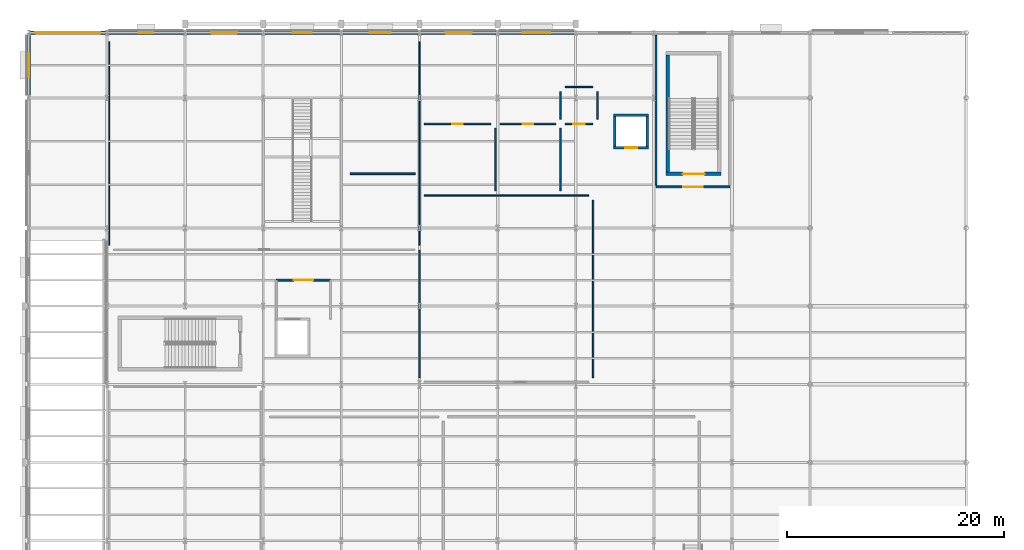
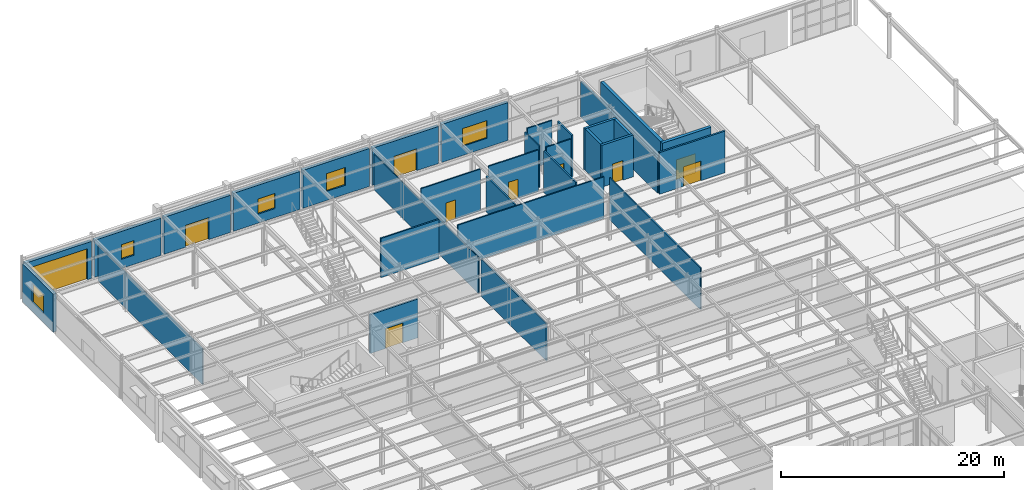
# One storey, part 61 of 83: 31 walls, 10 doors, 5 windows, 15 openings.
"""IFC4 building model written with IfcOpenShell, lengths in metres."""

from ifc_helpers import new_model, si_unit, direction, frame, frame_2d, origin, place, context, subcontext, project, spatial, rectangle, extrude, material, layer, layer_set, type_object, element, fill, save


model = new_model("IFC4")

# Units and contexts
model_context = context("Model", 3, precision=1e-05, world=origin(), true_north=direction((0.0, 1.0)))
body_context = subcontext(model_context, "Body", "Model", "MODEL_VIEW")
ifc_project = project(units=[si_unit("LENGTHUNIT", "METRE"), si_unit("AREAUNIT", "SQUARE_METRE"), si_unit("VOLUMEUNIT", "CUBIC_METRE"), si_unit("PLANEANGLEUNIT", "RADIAN"), si_unit("MASSUNIT", "GRAM", prefix="KILO")], contexts=[model_context])

# Site, building, storey
site_placement = place(None, origin())
site = spatial("IfcSite", under=ifc_project, at=site_placement, CompositionType="ELEMENT")
building_placement = place(site_placement, origin())
building = spatial("IfcBuilding", under=site, at=building_placement, Name="Solvadek Multi-Sports Hall", CompositionType="ELEMENT")
storey_placement = place(building_placement, origin())
storey = spatial("IfcBuildingStorey", under=building, at=storey_placement, Name="L00", CompositionType="ELEMENT", Elevation=0.0)

# Wall, opening, window
ifc_material_1 = material(Name="Fired Deccan terracotta brick masonry", Category="masonry")
ifc_layer_1 = layer(ifc_material_1, 0.35009765625, Name="Fired Deccan terracotta brick masonry")
ifc_layer_set_1 = layer_set([ifc_layer_1], Name="Fired Deccan terracotta brick masonry")
wall_type_1 = type_object("IfcWallType", Name="ENV-WAL-EXT350", PredefinedType="SOLIDWALL", material=ifc_layer_set_1)
wall_1_placement = place(storey_placement, frame((0.0, 104.62890625, 0.0), z_axis=(0.0, 0.0, 1.0), x_axis=(0.0, 1.0, 0.0)))
wall_1 = element("IfcWall", 1, at=wall_1_placement, inside=storey, type_object=wall_type_1, Name="L00 Exterior Masonry Wall #162", PredefinedType="SOLIDWALL", context=body_context, shape_type="SweptSolid", body=[
    extrude(rectangle(XDim=5.5419921875, YDim=0.35009765625, at=frame_2d((2.77099609375, 0.0))), origin(), (0.0, 0.0, 1.0), 4.1650390625),
])
opening_1_placement = place(wall_1_placement, frame((1.720947265625, 0.0, 1.0)))
opening_1 = element("IfcOpeningElement", 2, at=opening_1_placement, cuts=wall_1, Name="Opening WN-12", PredefinedType="OPENING", context=body_context, shape_type="SweptSolid", body=[
    extrude(rectangle(XDim=2.10009765625, YDim=2.10009765625, at=frame_2d((1.050048828125, 1.050048828125))), frame((0.0, 0.18505859375, 0.0), z_axis=(0.0, -1.0, 0.0), x_axis=(1.0, 0.0, 0.0)), (0.0, 0.0, 1.0), 0.3701171875),
])
ifc_material_2 = material(Name="Tempered laminated low-E glass", Category="glass")
window_type_1 = type_object("IfcWindowType", Name="ENV-WIN-WN-12", PartitioningType="SINGLE_PANEL", PredefinedType="WINDOW", material=ifc_material_2)
window_1_placement = place(opening_1_placement, origin())
window_1 = element("IfcWindow", 3, at=window_1_placement, inside=storey, type_object=window_type_1, Name="L00 Facade Window WN-12 #50", OverallHeight=2.10009765625, OverallWidth=2.10009765625, PartitioningType="SINGLE_PANEL", PredefinedType="WINDOW", context=body_context, shape_type="SweptSolid", body=[
    extrude(rectangle(XDim=2.10009765625, YDim=2.10009765625, at=frame_2d((1.050048828125, 1.050048828125))), frame((0.0, 0.030029296875, 0.0), z_axis=(0.0, -1.0, 0.0), x_axis=(1.0, 0.0, 0.0)), (0.0, 0.0, 1.0), 0.06005859375),
])
fill(opening_1, window_1)

# Wall, opening, door
wall_2_placement = place(storey_placement, frame((0.154052734375, 110.39990234375, 0.0), z_axis=(0.0, 0.0, 1.0), x_axis=(1.0, 0.0, 0.0)))
wall_2 = element("IfcWall", 4, at=wall_2_placement, inside=storey, type_object=wall_type_1, Name="L00 Exterior Masonry Wall #165", PredefinedType="SOLIDWALL", context=body_context, shape_type="SweptSolid", body=[
    extrude(rectangle(XDim=6.891845703125, YDim=0.35009765625, at=frame_2d((3.44580078125, 0.0))), origin(), (0.0, 0.0, 1.0), 4.06494140625),
])
opening_2_placement = place(wall_2_placement, frame((0.446044921875, 0.0, 0.0)))
opening_2 = element("IfcOpeningElement", 5, at=opening_2_placement, cuts=wall_2, Name="Opening VG-01", PredefinedType="OPENING", context=body_context, shape_type="SweptSolid", body=[
    extrude(rectangle(XDim=6.0, YDim=3.39990234375, at=frame_2d((3.0, 1.699951171875))), frame((0.0, 0.18505859375, 0.0), z_axis=(0.0, -1.0, 0.0), x_axis=(1.0, 0.0, 0.0)), (0.0, 0.0, 1.0), 0.3701171875),
])
ifc_material_3 = material(Name="Steel E250 (250 MPa)", Category="steel")
door_type_1 = type_object("IfcDoorType", Name="ENV-DOR-VG600X340", OperationType="ROLLINGUP", PredefinedType="GATE", material=ifc_material_3)
door_1_placement = place(opening_2_placement, origin())
door_1 = element("IfcDoor", 6, at=door_1_placement, inside=storey, type_object=door_type_1, Name="West Car Park Ramp Roller Shutter Gate VG-01", OperationType="ROLLINGUP", OverallHeight=3.39990234375, OverallWidth=6.0, PredefinedType="GATE", context=body_context, shape_type="SweptSolid", body=[
    extrude(rectangle(XDim=6.0, YDim=3.39990234375, at=frame_2d((3.0, 1.699951171875))), frame((0.0, 0.02490234375, 0.0), z_axis=(0.0, -1.0, 0.0), x_axis=(1.0, 0.0, 0.0)), (0.0, 0.0, 1.0), 0.050048828125),
])
fill(opening_2, door_1)

# Wall, opening, window
wall_3_placement = place(storey_placement, frame((7.35400390625, 110.39990234375, 0.0), z_axis=(0.0, 0.0, 1.0), x_axis=(1.0, 0.0, 0.0)))
wall_3 = element("IfcWall", 7, at=wall_3_placement, inside=storey, type_object=wall_type_1, Name="L00 Exterior Masonry Wall #168", PredefinedType="SOLIDWALL", context=body_context, shape_type="SweptSolid", body=[
    extrude(rectangle(XDim=6.89208984375, YDim=0.35009765625, at=frame_2d((3.446044921875, 0.0))), origin(), (0.0, 0.0, 1.0), 4.06494140625),
])
opening_3_placement = place(wall_3_placement, frame((2.7958984375, 0.0, 1.0)))
opening_3 = element("IfcOpeningElement", 8, at=opening_3_placement, cuts=wall_3, Name="Opening WN-26", PredefinedType="OPENING", context=body_context, shape_type="SweptSolid", body=[
    extrude(rectangle(XDim=1.300048828125, YDim=1.60009765625, at=frame_2d((0.64990234375, 0.800048828125))), frame((0.0, 0.18505859375, 0.0), z_axis=(0.0, -1.0, 0.0), x_axis=(1.0, 0.0, 0.0)), (0.0, 0.0, 1.0), 0.3701171875),
])
window_type_2 = type_object("IfcWindowType", Name="ENV-WIN-WN-26", PartitioningType="SINGLE_PANEL", PredefinedType="WINDOW", material=ifc_material_2)
window_2_placement = place(opening_3_placement, origin())
window_2 = element("IfcWindow", 9, at=window_2_placement, inside=storey, type_object=window_type_2, Name="L00 Facade Window WN-26 #55", OverallHeight=1.60009765625, OverallWidth=1.300048828125, PartitioningType="SINGLE_PANEL", PredefinedType="WINDOW", context=body_context, shape_type="SweptSolid", body=[
    extrude(rectangle(XDim=1.300048828125, YDim=1.60009765625, at=frame_2d((0.64990234375, 0.800048828125))), frame((0.0, 0.030029296875, 0.0), z_axis=(0.0, -1.0, 0.0), x_axis=(1.0, 0.0, 0.0)), (0.0, 0.0, 1.0), 0.06005859375),
])
fill(opening_3, window_2)

# Wall, opening, door
wall_4_placement = place(storey_placement, frame((14.553955078125, 110.39990234375, 0.0), z_axis=(0.0, 0.0, 1.0), x_axis=(1.0, 0.0, 0.0)))
wall_4 = element("IfcWall", 10, at=wall_4_placement, inside=storey, type_object=wall_type_1, Name="L00 Exterior Masonry Wall #171", PredefinedType="SOLIDWALL", context=body_context, shape_type="SweptSolid", body=[
    extrude(rectangle(XDim=6.89208984375, YDim=0.35009765625, at=frame_2d((3.446044921875, 0.0))), origin(), (0.0, 0.0, 1.0), 4.06494140625),
])
opening_4_placement = place(wall_4_placement, frame((2.24609375, 0.0, 0.0)))
opening_4 = element("IfcOpeningElement", 11, at=opening_4_placement, cuts=wall_4, Name="Opening D-EX04", PredefinedType="OPENING", context=body_context, shape_type="SweptSolid", body=[
    extrude(rectangle(XDim=2.39990234375, YDim=2.39990234375, at=frame_2d((1.199951171875, 1.199951171875))), frame((0.0, 0.18505859375, 0.0), z_axis=(0.0, -1.0, 0.0), x_axis=(1.0, 0.0, 0.0)), (0.0, 0.0, 1.0), 0.3701171875),
])
ifc_material_4 = material(Name="Anodised aluminium", Category="aluminium")
door_type_2 = type_object("IfcDoorType", Name="ENV-DOR-EX240X240", OperationType="DOUBLE_DOOR_SINGLE_SWING", PredefinedType="DOOR", material=ifc_material_4)
door_2_placement = place(opening_4_placement, origin())
door_2 = element("IfcDoor", 12, at=door_2_placement, inside=storey, type_object=door_type_2, Name="North Avenue Final Exit Door D-EX04", OperationType="DOUBLE_DOOR_SINGLE_SWING", OverallHeight=2.39990234375, OverallWidth=2.39990234375, PredefinedType="DOOR", context=body_context, shape_type="SweptSolid", body=[
    extrude(rectangle(XDim=2.39990234375, YDim=2.39990234375, at=frame_2d((1.199951171875, 1.199951171875))), frame((0.0, 0.02490234375, 0.0), z_axis=(0.0, -1.0, 0.0), x_axis=(1.0, 0.0, 0.0)), (0.0, 0.0, 1.0), 0.050048828125),
])
fill(opening_4, door_2)

# Wall, opening, window
wall_5_placement = place(storey_placement, frame((21.75390625, 110.39990234375, 0.0), z_axis=(0.0, 0.0, 1.0), x_axis=(1.0, 0.0, 0.0)))
wall_5 = element("IfcWall", 13, at=wall_5_placement, inside=storey, type_object=wall_type_1, Name="L00 Exterior Masonry Wall #174", PredefinedType="SOLIDWALL", context=body_context, shape_type="SweptSolid", body=[
    extrude(rectangle(XDim=6.89208984375, YDim=0.35009765625, at=frame_2d((3.446044921875, 0.0))), origin(), (0.0, 0.0, 1.0), 4.1650390625),
])
opening_5_placement = place(wall_5_placement, frame((2.571044921875, 0.0, 1.0)))
opening_5 = element("IfcOpeningElement", 14, at=opening_5_placement, cuts=wall_5, Name="Opening WN-28", PredefinedType="OPENING", context=body_context, shape_type="SweptSolid", body=[
    extrude(rectangle(XDim=1.75, YDim=1.64990234375, at=frame_2d((0.875, 0.824951171875))), frame((0.0, 0.18505859375, 0.0), z_axis=(0.0, -1.0, 0.0), x_axis=(1.0, 0.0, 0.0)), (0.0, 0.0, 1.0), 0.3701171875),
])
window_type_3 = type_object("IfcWindowType", Name="ENV-WIN-WN-28", PartitioningType="SINGLE_PANEL", PredefinedType="WINDOW", material=ifc_material_2)
window_3_placement = place(opening_5_placement, origin())
window_3 = element("IfcWindow", 15, at=window_3_placement, inside=storey, type_object=window_type_3, Name="L00 Facade Window WN-28 #60", OverallHeight=1.64990234375, OverallWidth=1.75, PartitioningType="SINGLE_PANEL", PredefinedType="WINDOW", context=body_context, shape_type="SweptSolid", body=[
    extrude(rectangle(XDim=1.75, YDim=1.64990234375, at=frame_2d((0.875, 0.824951171875))), frame((0.0, 0.030029296875, 0.0), z_axis=(0.0, -1.0, 0.0), x_axis=(1.0, 0.0, 0.0)), (0.0, 0.0, 1.0), 0.06005859375),
])
fill(opening_5, window_3)

wall_6_placement = place(storey_placement, frame((28.9541015625, 110.39990234375, 0.0), z_axis=(0.0, 0.0, 1.0), x_axis=(1.0, 0.0, 0.0)))
wall_6 = element("IfcWall", 16, at=wall_6_placement, inside=storey, type_object=wall_type_1, Name="L00 Exterior Masonry Wall #177", PredefinedType="SOLIDWALL", context=body_context, shape_type="SweptSolid", body=[
    extrude(rectangle(XDim=6.891845703125, YDim=0.35009765625, at=frame_2d((3.44580078125, 0.0))), origin(), (0.0, 0.0, 1.0), 4.1650390625),
])
opening_6_placement = place(wall_6_placement, frame((2.470947265625, 0.0, 1.0)))
opening_6 = element("IfcOpeningElement", 17, at=opening_6_placement, cuts=wall_6, Name="Opening WN-29", PredefinedType="OPENING", context=body_context, shape_type="SweptSolid", body=[
    extrude(rectangle(XDim=1.949951171875, YDim=1.949951171875, at=frame_2d((0.97509765625, 0.97509765625))), frame((0.0, 0.18505859375, 0.0), z_axis=(0.0, -1.0, 0.0), x_axis=(1.0, 0.0, 0.0)), (0.0, 0.0, 1.0), 0.3701171875),
])
window_type_4 = type_object("IfcWindowType", Name="ENV-WIN-WN-29", PartitioningType="SINGLE_PANEL", PredefinedType="WINDOW", material=ifc_material_2)
window_4_placement = place(opening_6_placement, origin())
window_4 = element("IfcWindow", 18, at=window_4_placement, inside=storey, type_object=window_type_4, Name="L00 Facade Window WN-29 #63", OverallHeight=1.949951171875, OverallWidth=1.949951171875, PartitioningType="SINGLE_PANEL", PredefinedType="WINDOW", context=body_context, shape_type="SweptSolid", body=[
    extrude(rectangle(XDim=1.949951171875, YDim=1.949951171875, at=frame_2d((0.97509765625, 0.97509765625))), frame((0.0, 0.030029296875, 0.0), z_axis=(0.0, -1.0, 0.0), x_axis=(1.0, 0.0, 0.0)), (0.0, 0.0, 1.0), 0.06005859375),
])
fill(opening_6, window_4)

# Wall, opening, door
wall_7_placement = place(storey_placement, frame((36.154052734375, 110.39990234375, 0.0), z_axis=(0.0, 0.0, 1.0), x_axis=(1.0, 0.0, 0.0)))
wall_7 = element("IfcWall", 19, at=wall_7_placement, inside=storey, type_object=wall_type_1, Name="L00 Exterior Masonry Wall #180", PredefinedType="SOLIDWALL", context=body_context, shape_type="SweptSolid", body=[
    extrude(rectangle(XDim=6.891845703125, YDim=0.35009765625, at=frame_2d((3.44580078125, 0.0))), origin(), (0.0, 0.0, 1.0), 4.06494140625),
])
opening_7_placement = place(wall_7_placement, frame((2.24609375, 0.0, 0.0)))
opening_7 = element("IfcOpeningElement", 20, at=opening_7_placement, cuts=wall_7, Name="Opening D-EX05", PredefinedType="OPENING", context=body_context, shape_type="SweptSolid", body=[
    extrude(rectangle(XDim=2.39990234375, YDim=2.39990234375, at=frame_2d((1.199951171875, 1.199951171875))), frame((0.0, 0.18505859375, 0.0), z_axis=(0.0, -1.0, 0.0), x_axis=(1.0, 0.0, 0.0)), (0.0, 0.0, 1.0), 0.3701171875),
])
door_3_placement = place(opening_7_placement, origin())
door_3 = element("IfcDoor", 21, at=door_3_placement, inside=storey, type_object=door_type_2, Name="North Avenue Final Exit Door D-EX05", OperationType="DOUBLE_DOOR_SINGLE_SWING", OverallHeight=2.39990234375, OverallWidth=2.39990234375, PredefinedType="DOOR", context=body_context, shape_type="SweptSolid", body=[
    extrude(rectangle(XDim=2.39990234375, YDim=2.39990234375, at=frame_2d((1.199951171875, 1.199951171875))), frame((0.0, 0.02490234375, 0.0), z_axis=(0.0, -1.0, 0.0), x_axis=(1.0, 0.0, 0.0)), (0.0, 0.0, 1.0), 0.050048828125),
])
fill(opening_7, door_3)

# Wall, opening, window
wall_8_placement = place(storey_placement, frame((43.35400390625, 110.39990234375, 0.0), z_axis=(0.0, 0.0, 1.0), x_axis=(1.0, 0.0, 0.0)))
wall_8 = element("IfcWall", 22, at=wall_8_placement, inside=storey, type_object=wall_type_1, Name="L00 Exterior Masonry Wall #183", PredefinedType="SOLIDWALL", context=body_context, shape_type="SweptSolid", body=[
    extrude(rectangle(XDim=6.89208984375, YDim=0.35009765625, at=frame_2d((3.446044921875, 0.0))), origin(), (0.0, 0.0, 1.0), 4.1650390625),
])
opening_8_placement = place(wall_8_placement, frame((2.1708984375, 0.0, 1.0)))
opening_8 = element("IfcOpeningElement", 23, at=opening_8_placement, cuts=wall_8, Name="Opening WN-31", PredefinedType="OPENING", context=body_context, shape_type="SweptSolid", body=[
    extrude(rectangle(XDim=2.550048828125, YDim=1.949951171875, at=frame_2d((1.27490234375, 0.97509765625))), frame((0.0, 0.18505859375, 0.0), z_axis=(0.0, -1.0, 0.0), x_axis=(1.0, 0.0, 0.0)), (0.0, 0.0, 1.0), 0.3701171875),
])
window_type_5 = type_object("IfcWindowType", Name="ENV-WIN-WN-31", PartitioningType="SINGLE_PANEL", PredefinedType="WINDOW", material=ifc_material_2)
window_5_placement = place(opening_8_placement, origin())
window_5 = element("IfcWindow", 24, at=window_5_placement, inside=storey, type_object=window_type_5, Name="L00 Facade Window WN-31 #68", OverallHeight=1.949951171875, OverallWidth=2.550048828125, PartitioningType="SINGLE_PANEL", PredefinedType="WINDOW", context=body_context, shape_type="SweptSolid", body=[
    extrude(rectangle(XDim=2.550048828125, YDim=1.949951171875, at=frame_2d((1.27490234375, 0.97509765625))), frame((0.0, 0.030029296875, 0.0), z_axis=(0.0, -1.0, 0.0), x_axis=(1.0, 0.0, 0.0)), (0.0, 0.0, 1.0), 0.06005859375),
])
fill(opening_8, window_5)

# Walls
ifc_material_5 = material(Name="Teak hardwood timber", Category="wood")
ifc_layer_2 = layer(ifc_material_5, 0.14990234375, Name="Teak hardwood timber")
ifc_layer_set_2 = layer_set([ifc_layer_2], Name="Teak hardwood timber")
wall_type_2 = type_object("IfcWallType", Name="INT-WAL-MOV150", PredefinedType="MOVABLE", material=ifc_layer_set_2)
wall_9_placement = place(storey_placement, frame((29.60009765625, 97.39990234375, 0.0), z_axis=(0.0, 0.0, 1.0), x_axis=(1.0, 0.0, 0.0)))
element("IfcWall", 25, at=wall_9_placement, inside=storey, type_object=wall_type_2, Name="L00 Movable Acoustic Hall Partition #1", PredefinedType="MOVABLE", context=body_context, shape_type="SweptSolid", body=[
    extrude(rectangle(XDim=6.0, YDim=0.14990234375, at=frame_2d((3.0, 0.0))), origin(), (0.0, 0.0, 1.0), 4.284912109375),
])
ifc_material_6 = material(Name="Autoclaved aerated concrete blockwork", Category="masonry")
ifc_layer_3 = layer(ifc_material_6, 0.10498046875, Name="Autoclaved aerated concrete blockwork")
ifc_layer_set_3 = layer_set([ifc_layer_3], Name="Autoclaved aerated concrete blockwork")
wall_type_3 = type_object("IfcWallType", Name="INT-WAL-PRT105", PredefinedType="PARTITIONING", material=ifc_layer_set_3)
for number, where, z_axis, x_axis, name in (
    (26, (7.39990234375, 90.820068359375, 0.0), (0.0, 0.0, 1.0), (0.0, 1.0, 0.0), "L00 Partition Wall L00-23 W"),
    (27, (36.0, 90.820068359375, 0.0), (0.0, 0.0, 1.0), (0.0, 1.0, 0.0), "L00 Partition Wall L00-23 E"),
):
    element("IfcWall", number, at=place(storey_placement, frame(where, z_axis=z_axis, x_axis=x_axis)), inside=storey, type_object=wall_type_3, Name=name, PredefinedType="PARTITIONING", context=body_context, shape_type="SweptSolid", body=[
        extrude(rectangle(XDim=18.760009765625, YDim=0.10498046875, at=frame_2d((9.3798828125, 0.0))), origin(), (0.0, 0.0, 1.0), 3.909912109375),
    ])
ifc_layer_4 = layer(ifc_material_6, 0.135009765625, Name="Autoclaved aerated concrete blockwork")
ifc_layer_set_4 = layer_set([ifc_layer_4], Name="Autoclaved aerated concrete blockwork")
wall_type_4 = type_object("IfcWallType", Name="INT-WAL-PRT135", PredefinedType="PARTITIONING", material=ifc_layer_set_4)
wall_10_placement = place(storey_placement, frame((36.419921875, 95.39990234375, 0.0), z_axis=(0.0, 0.0, 1.0), x_axis=(1.0, 0.0, 0.0)))
element("IfcWall", 28, at=wall_10_placement, inside=storey, type_object=wall_type_4, Name="L00 Partition Wall L00-24 N", PredefinedType="PARTITIONING", context=body_context, shape_type="SweptSolid", body=[
    extrude(rectangle(XDim=15.16015625, YDim=0.135009765625, at=frame_2d((7.580078125, 0.0))), origin(), (0.0, 0.0, 1.0), 4.56494140625),
])
wall_11_placement = place(storey_placement, frame((36.0, 78.6201171875, 0.0), z_axis=(0.0, 0.0, 1.0), x_axis=(0.0, 1.0, 0.0)))
element("IfcWall", 29, at=wall_11_placement, inside=storey, type_object=wall_type_4, Name="L00 Partition Wall L00-24 W", PredefinedType="PARTITIONING", context=body_context, shape_type="SweptSolid", body=[
    extrude(rectangle(XDim=11.719970703125, YDim=0.135009765625, at=frame_2d((5.85986328125, 0.0))), origin(), (0.0, 0.0, 1.0), 4.110107421875),
])
wall_12_placement = place(storey_placement, frame((52.0, 78.6201171875, 0.0), z_axis=(0.0, 0.0, 1.0), x_axis=(0.0, 1.0, 0.0)))
element("IfcWall", 30, at=wall_12_placement, inside=storey, type_object=wall_type_4, Name="L00 Partition Wall L00-24 E", PredefinedType="PARTITIONING", context=body_context, shape_type="SweptSolid", body=[
    extrude(rectangle(XDim=16.35986328125, YDim=0.135009765625, at=frame_2d((8.179931640625, 0.0))), origin(), (0.0, 0.0, 1.0), 4.56494140625),
])

# Wall, opening, door
wall_13_placement = place(storey_placement, frame((36.425048828125, 102.0, 0.0), z_axis=(0.0, 0.0, 1.0), x_axis=(1.0, 0.0, 0.0)))
wall_13 = element("IfcWall", 31, at=wall_13_placement, inside=storey, type_object=wall_type_4, Name="L00 Partition Wall L00-25 N", PredefinedType="PARTITIONING", context=body_context, shape_type="SweptSolid", body=[
    extrude(rectangle(XDim=6.155029296875, YDim=0.135009765625, at=frame_2d((3.07763671875, 0.0))), origin(), (0.0, 0.0, 1.0), 4.56494140625),
])
opening_9_placement = place(wall_13_placement, frame((2.574951171875, 0.0, 0.0)))
opening_9 = element("IfcOpeningElement", 32, at=opening_9_placement, cuts=wall_13, Name="Opening D-01", PredefinedType="OPENING", context=body_context, shape_type="SweptSolid", body=[
    extrude(rectangle(XDim=1.0, YDim=2.10009765625, at=frame_2d((0.5, 1.050048828125))), frame((0.0, 0.077392578125, 0.0), z_axis=(0.0, -1.0, 0.0), x_axis=(1.0, 0.0, 0.0)), (0.0, 0.0, 1.0), 0.155029296875),
])
door_type_3 = type_object("IfcDoorType", Name="INT-DOR-RM100X210", OperationType="NOTDEFINED", PredefinedType="DOOR", material=ifc_material_5)
door_4_placement = place(opening_9_placement, frame((1.0, 0.0, 0.0), z_axis=(0.0, 0.0, 1.0), x_axis=(-1.0, 0.0, 0.0)))
door_4 = element("IfcDoor", 33, at=door_4_placement, inside=storey, type_object=door_type_3, Name="L00 L00-25 Door #3", OperationType="SINGLE_SWING_RIGHT", OverallHeight=2.10009765625, OverallWidth=1.0, PredefinedType="DOOR", context=body_context, shape_type="SweptSolid", body=[
    extrude(rectangle(XDim=1.0, YDim=2.10009765625, at=frame_2d((0.5, 1.050048828125))), frame((0.0, 0.02490234375, 0.0), z_axis=(0.0, -1.0, 0.0), x_axis=(1.0, 0.0, 0.0)), (0.0, 0.0, 1.0), 0.050048828125),
])
fill(opening_9, door_4)

# Wall
wall_14_placement = place(storey_placement, frame((43.0, 95.824951171875, 0.0), z_axis=(0.0, 0.0, 1.0), x_axis=(0.0, 1.0, 0.0)))
element("IfcWall", 34, at=wall_14_placement, inside=storey, type_object=wall_type_4, Name="L00 Partition Wall L00-25 E", PredefinedType="PARTITIONING", context=body_context, shape_type="SweptSolid", body=[
    extrude(rectangle(XDim=5.755126953125, YDim=0.135009765625, at=frame_2d((2.87744140625, 0.0))), origin(), (0.0, 0.0, 1.0), 3.909912109375),
])

# Wall, opening, door
wall_15_placement = place(storey_placement, frame((43.425048828125, 102.0, 0.0), z_axis=(0.0, 0.0, 1.0), x_axis=(1.0, 0.0, 0.0)))
wall_15 = element("IfcWall", 35, at=wall_15_placement, inside=storey, type_object=wall_type_4, Name="L00 Partition Wall L00-26 N", PredefinedType="PARTITIONING", context=body_context, shape_type="SweptSolid", body=[
    extrude(rectangle(XDim=5.155029296875, YDim=0.135009765625, at=frame_2d((2.57763671875, 0.0))), origin(), (0.0, 0.0, 1.0), 4.56494140625),
])
opening_10_placement = place(wall_15_placement, frame((2.074951171875, 0.0, 0.0)))
opening_10 = element("IfcOpeningElement", 36, at=opening_10_placement, cuts=wall_15, Name="Opening D-01", PredefinedType="OPENING", context=body_context, shape_type="SweptSolid", body=[
    extrude(rectangle(XDim=1.0, YDim=2.10009765625, at=frame_2d((0.5, 1.050048828125))), frame((0.0, 0.077392578125, 0.0), z_axis=(0.0, -1.0, 0.0), x_axis=(1.0, 0.0, 0.0)), (0.0, 0.0, 1.0), 0.155029296875),
])
door_5_placement = place(opening_10_placement, frame((1.0, 0.0, 0.0), z_axis=(0.0, 0.0, 1.0), x_axis=(-1.0, 0.0, 0.0)))
door_5 = element("IfcDoor", 37, at=door_5_placement, inside=storey, type_object=door_type_3, Name="L00 L00-26 Door #4", OperationType="SINGLE_SWING_LEFT", OverallHeight=2.10009765625, OverallWidth=1.0, PredefinedType="DOOR", context=body_context, shape_type="SweptSolid", body=[
    extrude(rectangle(XDim=1.0, YDim=2.10009765625, at=frame_2d((0.5, 1.050048828125))), frame((0.0, 0.02490234375, 0.0), z_axis=(0.0, -1.0, 0.0), x_axis=(1.0, 0.0, 0.0)), (0.0, 0.0, 1.0), 0.050048828125),
])
fill(opening_10, door_5)

# Wall
wall_16_placement = place(storey_placement, frame((49.0, 95.824951171875, 0.0), z_axis=(0.0, 0.0, 1.0), x_axis=(0.0, 1.0, 0.0)))
element("IfcWall", 38, at=wall_16_placement, inside=storey, type_object=wall_type_4, Name="L00 Partition Wall L00-26 E", PredefinedType="PARTITIONING", context=body_context, shape_type="SweptSolid", body=[
    extrude(rectangle(XDim=5.755126953125, YDim=0.135009765625, at=frame_2d((2.87744140625, 0.0))), origin(), (0.0, 0.0, 1.0), 4.56494140625),
])

# Wall, opening, door
wall_17_placement = place(storey_placement, frame((49.419921875, 102.0, 0.0), z_axis=(0.0, 0.0, 1.0), x_axis=(1.0, 0.0, 0.0)))
wall_17 = element("IfcWall", 39, at=wall_17_placement, inside=storey, type_object=wall_type_4, Name="L00 Partition Wall L00-27 S", PredefinedType="PARTITIONING", context=body_context, shape_type="SweptSolid", body=[
    extrude(rectangle(XDim=2.56005859375, YDim=0.135009765625, at=frame_2d((1.280029296875, 0.0))), origin(), (0.0, 0.0, 1.0), 4.56494140625),
])
opening_11_placement = place(wall_17_placement, frame((0.7548828125, 0.0, 0.0)))
opening_11 = element("IfcOpeningElement", 40, at=opening_11_placement, cuts=wall_17, Name="Opening D-ACC", PredefinedType="OPENING", context=body_context, shape_type="SweptSolid", body=[
    extrude(rectangle(XDim=1.050048828125, YDim=2.14990234375, at=frame_2d((0.52490234375, 1.074951171875))), frame((0.0, 0.077392578125, 0.0), z_axis=(0.0, -1.0, 0.0), x_axis=(1.0, 0.0, 0.0)), (0.0, 0.0, 1.0), 0.155029296875),
])
door_type_4 = type_object("IfcDoorType", Name="INT-DOR-ACC105X215", OperationType="NOTDEFINED", PredefinedType="DOOR", material=ifc_material_5)
door_6_placement = place(opening_11_placement, origin())
door_6 = element("IfcDoor", 41, at=door_6_placement, inside=storey, type_object=door_type_4, Name="L00 L00-27 Door #39", OperationType="SINGLE_SWING_RIGHT", OverallHeight=2.14990234375, OverallWidth=1.050048828125, PredefinedType="DOOR", context=body_context, shape_type="SweptSolid", body=[
    extrude(rectangle(XDim=1.050048828125, YDim=2.14990234375, at=frame_2d((0.52490234375, 1.074951171875))), frame((0.0, 0.02490234375, 0.0), z_axis=(0.0, -1.0, 0.0), x_axis=(1.0, 0.0, 0.0)), (0.0, 0.0, 1.0), 0.050048828125),
])
fill(opening_11, door_6)

# Walls
for number, where, z_axis, x_axis, name in (
    (42, (49.419921875, 105.39990234375, 0.0), (0.0, 0.0, 1.0), (1.0, 0.0, 0.0), "L00 Partition Wall L00-27 N"),
    (43, (49.0, 102.419921875, 0.0), (0.0, 0.0, 1.0), (0.0, 1.0, 0.0), "L00 Partition Wall L00-27 W"),
    (44, (52.39990234375, 102.419921875, 0.0), (0.0, 0.0, 1.0), (0.0, 1.0, 0.0), "L00 Partition Wall L00-27 E"),
):
    element("IfcWall", number, at=place(storey_placement, frame(where, z_axis=z_axis, x_axis=x_axis)), inside=storey, type_object=wall_type_4, Name=name, PredefinedType="PARTITIONING", context=body_context, shape_type="SweptSolid", body=[
        extrude(rectangle(XDim=2.56005859375, YDim=0.135009765625, at=frame_2d((1.280029296875, 0.0))), origin(), (0.0, 0.0, 1.0), 4.56494140625),
    ])

# Wall, opening, door
ifc_layer_5 = layer(ifc_material_6, 0.179931640625, Name="Autoclaved aerated concrete blockwork")
ifc_layer_set_5 = layer_set([ifc_layer_5], Name="Autoclaved aerated concrete blockwork")
wall_type_5 = type_object("IfcWallType", Name="INT-WAL-PRT180", PredefinedType="PARTITIONING", material=ifc_layer_set_5)
wall_18_placement = place(storey_placement, frame((22.800048828125, 87.60009765625, 0.0), z_axis=(0.0, 0.0, 1.0), x_axis=(1.0, 0.0, 0.0)))
wall_18 = element("IfcWall", 45, at=wall_18_placement, inside=storey, type_object=wall_type_5, Name="L00 Firefighting Lobby LF-01 Rated Wall N", PredefinedType="PARTITIONING", context=body_context, shape_type="SweptSolid", body=[
    extrude(rectangle(XDim=5.0, YDim=0.179931640625, at=frame_2d((2.5, 0.0))), origin(), (0.0, 0.0, 1.0), 4.260009765625),
])
opening_12_placement = place(wall_18_placement, frame((1.60009765625, 0.0, 0.0)))
opening_12 = element("IfcOpeningElement", 46, at=opening_12_placement, cuts=wall_18, Name="Opening FD120B", PredefinedType="OPENING", context=body_context, shape_type="SweptSolid", body=[
    extrude(rectangle(XDim=1.800048828125, YDim=2.14990234375, at=frame_2d((0.89990234375, 1.074951171875))), frame((0.0, 0.099853515625, 0.0), z_axis=(0.0, -1.0, 0.0), x_axis=(1.0, 0.0, 0.0)), (0.0, 0.0, 1.0), 0.199951171875),
])
door_type_5 = type_object("IfcDoorType", Name="INT-DOR-FD180X215", OperationType="DOUBLE_DOOR_SINGLE_SWING", PredefinedType="DOOR", material=ifc_material_3)
door_7_placement = place(opening_12_placement, origin())
door_7 = element("IfcDoor", 47, at=door_7_placement, inside=storey, type_object=door_type_5, Name="L00 Firefighting Lobby LF-01 Fire Door", OperationType="DOUBLE_DOOR_SINGLE_SWING", OverallHeight=2.14990234375, OverallWidth=1.800048828125, PredefinedType="DOOR", context=body_context, shape_type="SweptSolid", body=[
    extrude(rectangle(XDim=1.800048828125, YDim=2.14990234375, at=frame_2d((0.89990234375, 1.074951171875))), frame((0.0, 0.02490234375, 0.0), z_axis=(0.0, -1.0, 0.0), x_axis=(1.0, 0.0, 0.0)), (0.0, 0.0, 1.0), 0.050048828125),
])
fill(opening_12, door_7)

wall_19_placement = place(storey_placement, frame((57.800048828125, 96.199951171875, 0.0), z_axis=(0.0, 0.0, 1.0), x_axis=(1.0, 0.0, 0.0)))
wall_19 = element("IfcWall", 48, at=wall_19_placement, inside=storey, type_object=wall_type_5, Name="L00 Protected Exit Discharge Wall st03-dis-s", PredefinedType="PARTITIONING", context=body_context, shape_type="SweptSolid", body=[
    extrude(rectangle(XDim=6.800048828125, YDim=0.179931640625, at=frame_2d((3.39990234375, 0.0))), origin(), (0.0, 0.0, 1.0), 4.56494140625),
])
opening_13_placement = place(wall_19_placement, frame((2.5, 0.0, 0.0)))
opening_13 = element("IfcOpeningElement", 49, at=opening_13_placement, cuts=wall_19, Name="Opening FD120B", PredefinedType="OPENING", context=body_context, shape_type="SweptSolid", body=[
    extrude(rectangle(XDim=1.800048828125, YDim=2.14990234375, at=frame_2d((0.89990234375, 1.074951171875))), frame((0.0, 0.099853515625, 0.0), z_axis=(0.0, -1.0, 0.0), x_axis=(1.0, 0.0, 0.0)), (0.0, 0.0, 1.0), 0.199951171875),
])
door_8_placement = place(opening_13_placement, frame((1.800048828125, 0.0, 0.0), z_axis=(0.0, 0.0, 1.0), x_axis=(-1.0, 0.0, 0.0)))
door_8 = element("IfcDoor", 50, at=door_8_placement, inside=storey, type_object=door_type_5, Name="L00 Exit Discharge Vestibule Fire Door st03-dis-s", OperationType="DOUBLE_DOOR_SINGLE_SWING", OverallHeight=2.14990234375, OverallWidth=1.800048828125, PredefinedType="DOOR", context=body_context, shape_type="SweptSolid", body=[
    extrude(rectangle(XDim=1.800048828125, YDim=2.14990234375, at=frame_2d((0.89990234375, 1.074951171875))), frame((0.0, 0.02490234375, 0.0), z_axis=(0.0, -1.0, 0.0), x_axis=(1.0, 0.0, 0.0)), (0.0, 0.0, 1.0), 0.050048828125),
])
fill(opening_13, door_8)

# Wall
wall_20_placement = place(storey_placement, frame((57.800048828125, 96.35009765625, 0.0), z_axis=(0.0, 0.0, 1.0), x_axis=(0.0, 1.0, 0.0)))
element("IfcWall", 51, at=wall_20_placement, inside=storey, type_object=wall_type_5, Name="L00 Protected Exit Discharge Wall st03-dis-w", PredefinedType="PARTITIONING", context=body_context, shape_type="SweptSolid", body=[
    extrude(rectangle(XDim=13.7998046875, YDim=0.179931640625, at=frame_2d((6.89990234375, 0.0))), origin(), (0.0, 0.0, 1.0), 3.909912109375),
])

# Wall, opening, door
ifc_material_7 = material(Name="Concrete M40", Category="concrete")
ifc_layer_6 = layer(ifc_material_7, 0.260009765625, Name="Concrete M40")
ifc_layer_set_6 = layer_set([ifc_layer_6], Name="Concrete M40")
wall_type_6 = type_object("IfcWallType", Name="INT-WAL-SHR260", PredefinedType="SHEAR", material=ifc_layer_set_6)
wall_21_placement = place(storey_placement, frame((53.8701171875, 99.800048828125, 0.0), z_axis=(0.0, 0.0, 1.0), x_axis=(1.0, 0.0, 0.0)))
wall_21 = element("IfcWall", 52, at=wall_21_placement, inside=storey, type_object=wall_type_6, Name="Lift LP-01 Shaft Shear Wall L00 south", PredefinedType="SHEAR", context=body_context, shape_type="SweptSolid", body=[
    extrude(rectangle(XDim=3.259765625, YDim=0.260009765625, at=frame_2d((1.6298828125, 0.0))), origin(), (0.0, 0.0, 1.0), 4.580078125),
])
opening_14_placement = place(wall_21_placement, frame((1.080078125, 0.0, 0.0)))
opening_14 = element("IfcOpeningElement", 53, at=opening_14_placement, cuts=wall_21, Name="Opening LD-12", PredefinedType="OPENING", context=body_context, shape_type="SweptSolid", body=[
    extrude(rectangle(XDim=1.10009765625, YDim=2.14990234375, at=frame_2d((0.550048828125, 1.074951171875))), frame((0.0, 0.139892578125, 0.0), z_axis=(0.0, -1.0, 0.0), x_axis=(1.0, 0.0, 0.0)), (0.0, 0.0, 1.0), 0.280029296875),
])
door_type_6 = type_object("IfcDoorType", Name="INT-DOR-LD110X215", OperationType="DOUBLE_DOOR_SLIDING", PredefinedType="DOOR", material=ifc_material_4)
door_9_placement = place(opening_14_placement, origin())
door_9 = element("IfcDoor", 54, at=door_9_placement, inside=storey, type_object=door_type_6, Name="L00 Lift LP-01 Sliding Landing Door LD-12", OperationType="DOUBLE_DOOR_SLIDING", OverallHeight=2.14990234375, OverallWidth=1.10009765625, PredefinedType="DOOR", context=body_context, shape_type="SweptSolid", body=[
    extrude(rectangle(XDim=1.10009765625, YDim=2.14990234375, at=frame_2d((0.550048828125, 1.074951171875))), frame((0.0, 0.02490234375, 0.0), z_axis=(0.0, -1.0, 0.0), x_axis=(1.0, 0.0, 0.0)), (0.0, 0.0, 1.0), 0.050048828125),
])
fill(opening_14, door_9)

# Walls
wall_22_placement = place(storey_placement, frame((53.8701171875, 102.800048828125, 0.0), z_axis=(0.0, 0.0, 1.0), x_axis=(1.0, 0.0, 0.0)))
element("IfcWall", 55, at=wall_22_placement, inside=storey, type_object=wall_type_6, Name="Lift LP-01 Shaft Shear Wall L00 north", PredefinedType="SHEAR", context=body_context, shape_type="SweptSolid", body=[
    extrude(rectangle(XDim=3.259765625, YDim=0.260009765625, at=frame_2d((1.6298828125, 0.0))), origin(), (0.0, 0.0, 1.0), 4.580078125),
])
for number, where, z_axis, x_axis, name in (
    (56, (54.0, 99.929931640625, 0.0), (0.0, 0.0, 1.0), (0.0, 1.0, 0.0), "Lift LP-01 Shaft Shear Wall L00 west"),
    (57, (57.0, 99.929931640625, 0.0), (0.0, 0.0, 1.0), (0.0, 1.0, 0.0), "Lift LP-01 Shaft Shear Wall L00 east"),
):
    element("IfcWall", number, at=place(storey_placement, frame(where, z_axis=z_axis, x_axis=x_axis)), inside=storey, type_object=wall_type_6, Name=name, PredefinedType="SHEAR", context=body_context, shape_type="SweptSolid", body=[
        extrude(rectangle(XDim=2.739990234375, YDim=0.260009765625, at=frame_2d((1.3701171875, 0.0))), origin(), (0.0, 0.0, 1.0), 4.580078125),
    ])

# Wall, opening, door
ifc_layer_7 = layer(ifc_material_7, 0.320068359375, Name="Concrete M40")
ifc_layer_set_7 = layer_set([ifc_layer_7], Name="Concrete M40")
wall_type_7 = type_object("IfcWallType", Name="INT-WAL-SHR320", PredefinedType="SHEAR", material=ifc_layer_set_7)
wall_23_placement = place(storey_placement, frame((58.739990234375, 97.39990234375, 0.0), z_axis=(0.0, 0.0, 1.0), x_axis=(1.0, 0.0, 0.0)))
wall_23 = element("IfcWall", 58, at=wall_23_placement, inside=storey, type_object=wall_type_7, Name="L00 Stair ST-03 Shear Wall S", PredefinedType="SHEAR", context=body_context, shape_type="SweptSolid", body=[
    extrude(rectangle(XDim=5.070068359375, YDim=0.320068359375, at=frame_2d((2.53515625, 0.0))), origin(), (0.0, 0.0, 1.0), 4.580078125),
])
opening_15_placement = place(wall_23_placement, frame((1.534912109375, 0.0, 0.0)))
opening_15 = element("IfcOpeningElement", 59, at=opening_15_placement, cuts=wall_23, Name="Opening FD120", PredefinedType="OPENING", context=body_context, shape_type="SweptSolid", body=[
    extrude(rectangle(XDim=2.0, YDim=2.14990234375, at=frame_2d((1.0, 1.074951171875))), frame((0.0, 0.169921875, 0.0), z_axis=(0.0, -1.0, 0.0), x_axis=(1.0, 0.0, 0.0)), (0.0, 0.0, 1.0), 0.340087890625),
])
door_type_7 = type_object("IfcDoorType", Name="INT-DOR-FD200X215", OperationType="DOUBLE_DOOR_SINGLE_SWING", PredefinedType="DOOR", material=ifc_material_3)
door_10_placement = place(opening_15_placement, origin())
door_10 = element("IfcDoor", 60, at=door_10_placement, inside=storey, type_object=door_type_7, Name="L00 Stair ST-03 Fire Door", OperationType="DOUBLE_DOOR_SINGLE_SWING", OverallHeight=2.14990234375, OverallWidth=2.0, PredefinedType="DOOR", context=body_context, shape_type="SweptSolid", body=[
    extrude(rectangle(XDim=2.0, YDim=2.14990234375, at=frame_2d((1.0, 1.074951171875))), frame((0.0, 0.02490234375, 0.0), z_axis=(0.0, -1.0, 0.0), x_axis=(1.0, 0.0, 0.0)), (0.0, 0.0, 1.0), 0.050048828125),
])
fill(opening_15, door_10)

# Wall
wall_24_placement = place(storey_placement, frame((58.89990234375, 97.56005859375, 0.0), z_axis=(0.0, 0.0, 1.0), x_axis=(0.0, 1.0, 0.0)))
element("IfcWall", 61, at=wall_24_placement, inside=storey, type_object=wall_type_7, Name="L00 Stair ST-03 Shear Wall W", PredefinedType="SHEAR", context=body_context, shape_type="SweptSolid", body=[
    extrude(rectangle(XDim=10.780029296875, YDim=0.320068359375, at=frame_2d((5.39013671875, 0.0))), origin(), (0.0, 0.0, 1.0), 4.580078125),
])

save(model, "model.ifc")
